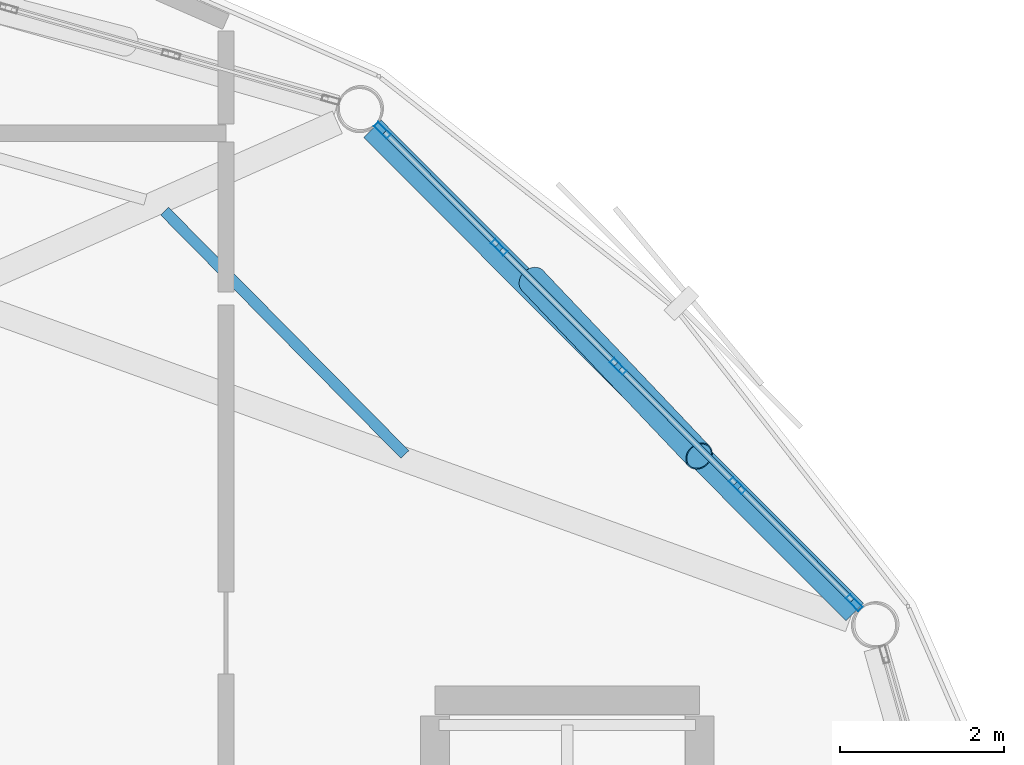
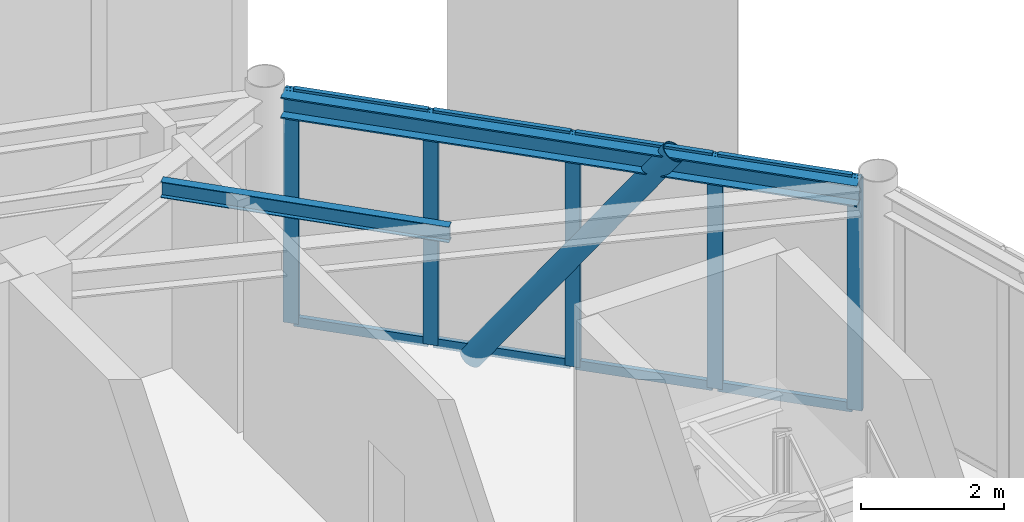
# One storey, part 11 of 20: 14 members, 2 beams, 1 element without a shape of its own.
"""IFC4 building model written with IfcOpenShell, lengths in metres."""

from ifc_helpers import new_model, si_unit, direction, frame, origin, origin_2d, place, context, subcontext, project, spatial, hollow_rectangle, hollow_circle, i_section, extrude, material, layer, layer_set, material_profile, profile_set, type_object, element, aggregate, save


model = new_model("IFC4")

# Units and contexts
model_context = context("Model", 3, precision=1e-05, world=origin(), true_north=direction((0.0, 1.0)))
body_context = subcontext(model_context, "Body", "Model", "MODEL_VIEW")
ifc_project = project(units=[si_unit("LENGTHUNIT", "METRE"), si_unit("AREAUNIT", "SQUARE_METRE"), si_unit("VOLUMEUNIT", "CUBIC_METRE"), si_unit("PLANEANGLEUNIT", "RADIAN"), si_unit("MASSUNIT", "GRAM", prefix="KILO")], contexts=[model_context])

# Site, building, storey
site_placement = place(None, origin())
site = spatial("IfcSite", under=ifc_project, at=site_placement, CompositionType="ELEMENT")
building_placement = place(site_placement, origin())
building = spatial("IfcBuilding", under=site, at=building_placement, Name="Varnakorn Sky Granary", CompositionType="ELEMENT")
storey_placement = place(building_placement, frame((0.0, 0.0, 310.800048828125)))
storey = spatial("IfcBuildingStorey", under=building, at=storey_placement, Name="L79", CompositionType="ELEMENT", Elevation=310.800048828125)

# Beams
ifc_material_1 = material(Name="Steel S355JR", Category="steel")
ifc_material_profile_1 = material_profile(ifc_material_1, i_section(OverallWidth=0.135009765625, OverallDepth=0.27001953125, WebThickness=0.006591796875, FlangeThickness=0.01025390625, at=origin_2d()), Name="IPE 270")
ifc_profile_set_1 = profile_set([ifc_material_profile_1], Name="Steel S355JR")
beam_type_1 = type_object("IfcBeamType", Name="BM-SEC-Z5", PredefinedType="BEAM", material=ifc_profile_set_1)
beam_1_placement = place(storey_placement, frame((13.984130859375, 10.67822265625, 3.824951171875), z_axis=(-0.702737432979, 0.711449295656, 0.0), x_axis=(-0.711449295656, -0.702737432979, 0.0)))
element("IfcBeam", 1, at=beam_1_placement, inside=storey, type_object=beam_type_1, Name="Secondary Floor Chord Beam MSB02 L79", PredefinedType="BEAM", context=body_context, shape_type="SweptSolid", body=[
    extrude(i_section(OverallWidth=0.135009765625, OverallDepth=0.27001953125, WebThickness=0.006591796875, FlangeThickness=0.01025390625, at=origin_2d()), origin(), (0.0, 0.0, 1.0), 4.175537109375),
])
ifc_material_profile_2 = material_profile(ifc_material_1, i_section(OverallWidth=0.300048828125, OverallDepth=0.360107421875, WebThickness=0.012451171875, FlangeThickness=0.0224609375, at=origin_2d()), Name="HE 360 B")
ifc_profile_set_2 = profile_set([ifc_material_profile_2], Name="Steel S355JR")
beam_type_2 = type_object("IfcBeamType", Name="BM-SPD-Z5", PredefinedType="SPANDREL", material=ifc_profile_set_2)
beam_2_placement = place(storey_placement, frame((19.47314453125, 8.755126953125, 3.780029296875), z_axis=(-0.706373891931, 0.707838911617, 0.0), x_axis=(-0.707838911617, -0.706373891931, 0.0)))
element("IfcBeam", 2, at=beam_2_placement, inside=storey, type_object=beam_type_2, Name="Perimeter Spandrel Ring Beam RB02 L79", PredefinedType="SPANDREL", context=body_context, shape_type="SweptSolid", body=[
    extrude(i_section(OverallWidth=0.300048828125, OverallDepth=0.360107421875, WebThickness=0.012451171875, FlangeThickness=0.0224609375, at=origin_2d()), origin(), (0.0, 0.0, 1.0), 8.332275390625),
])

# Curtain wall, members
ifc_material_2 = material(Name="Anodised Bronze Aluminium Alloy 6063-T6", Category="aluminium")
ifc_layer = layer(ifc_material_2, 0.22998046875, Name="Anodised Bronze Aluminium Alloy 6063-T6")
ifc_layer_set = layer_set([ifc_layer], Name="Anodised Bronze Aluminium Alloy 6063-T6")
curtain_wall_type = type_object("IfcCurtainWallType", Name="CW-LNT-1", PredefinedType="USERDEFINED", material=ifc_layer_set)
curtain_wall_placement = place(storey_placement, origin())
curtain_wall = element("IfcCurtainWall", 3, at=curtain_wall_placement, inside=storey, type_object=curtain_wall_type, Name="Unitised Curtain Wall CW7 CW-L79-B02", ObjectType="CURTAIN WALL", PredefinedType="USERDEFINED")
ifc_material_profile_3 = material_profile(ifc_material_2, hollow_rectangle(XDim=0.074951171875, YDim=0.219970703125, WallThickness=0.00390625, at=origin_2d()), Name="ALU MULL 75x220")
ifc_profile_set_3 = profile_set([ifc_material_profile_3], Name="Anodised Bronze Aluminium Alloy 6063-T6")
member_type_1 = type_object("IfcMemberType", Name="CW-LNT-1-MULL", PredefinedType="MULLION", material=ifc_profile_set_3)
member_1_placement = place(storey_placement, frame((13.70947265625, 14.635986328125, 0.0), z_axis=(0.0, 0.0, 1.0), x_axis=(0.707562678959, 0.706650589291, 0.0)))
member_1 = element("IfcMember", 4, at=member_1_placement, type_object=member_type_1, Name="CW7 mullion 1", PredefinedType="MULLION", context=body_context, shape_type="SweptSolid", body=[
    extrude(hollow_rectangle(XDim=0.074951171875, YDim=0.219970703125, WallThickness=0.00390625, at=origin_2d()), origin(), (0.0, 0.0, 1.0), 3.9599609375),
])
member_2_placement = place(storey_placement, frame((15.135498046875, 13.207763671875, 0.0), z_axis=(0.0, 0.0, 1.0), x_axis=(0.707562678959, 0.706650589291, 0.0)))
member_2 = element("IfcMember", 5, at=member_2_placement, type_object=member_type_1, Name="CW7 mullion 2", PredefinedType="MULLION", context=body_context, shape_type="SweptSolid", body=[
    extrude(hollow_rectangle(XDim=0.074951171875, YDim=0.219970703125, WallThickness=0.00390625, at=origin_2d()), origin(), (0.0, 0.0, 1.0), 3.9599609375),
])
member_3_placement = place(storey_placement, frame((16.588134765625, 11.75341796875, 0.0), z_axis=(0.0, 0.0, 1.0), x_axis=(0.707562678959, 0.706650589291, 0.0)))
member_3 = element("IfcMember", 6, at=member_3_placement, type_object=member_type_1, Name="CW7 mullion 3", PredefinedType="MULLION", context=body_context, shape_type="SweptSolid", body=[
    extrude(hollow_rectangle(XDim=0.074951171875, YDim=0.219970703125, WallThickness=0.00390625, at=origin_2d()), origin(), (0.0, 0.0, 1.0), 3.9599609375),
])
member_4_placement = place(storey_placement, frame((18.041015625, 10.298828125, 0.0), z_axis=(0.0, 0.0, 1.0), x_axis=(0.707562678959, 0.706650589291, 0.0)))
member_4 = element("IfcMember", 7, at=member_4_placement, type_object=member_type_1, Name="CW7 mullion 4", PredefinedType="MULLION", context=body_context, shape_type="SweptSolid", body=[
    extrude(hollow_rectangle(XDim=0.074951171875, YDim=0.219970703125, WallThickness=0.00390625, at=origin_2d()), origin(), (0.0, 0.0, 1.0), 3.9599609375),
])
member_5_placement = place(storey_placement, frame((19.467041015625, 8.870849609375, 0.0), z_axis=(0.0, 0.0, 1.0), x_axis=(0.707562678959, 0.706650589291, 0.0)))
member_5 = element("IfcMember", 8, at=member_5_placement, type_object=member_type_1, Name="CW7 mullion 5", PredefinedType="MULLION", context=body_context, shape_type="SweptSolid", body=[
    extrude(hollow_rectangle(XDim=0.074951171875, YDim=0.219970703125, WallThickness=0.00390625, at=origin_2d()), origin(), (0.0, 0.0, 1.0), 3.9599609375),
])
ifc_material_profile_4 = material_profile(ifc_material_2, hollow_rectangle(XDim=0.074951171875, YDim=0.159912109375, WallThickness=0.00390625, at=origin_2d()), Name="ALU TRAN 75x160")
ifc_profile_set_4 = profile_set([ifc_material_profile_4], Name="Anodised Bronze Aluminium Alloy 6063-T6")
member_type_2 = type_object("IfcMemberType", Name="CW-LNT-1-TRAN", PredefinedType="USERDEFINED", material=ifc_profile_set_4)
member_6_placement = place(storey_placement, frame((13.73583984375, 14.609375, 0.037353515625), z_axis=(0.706666940601, -0.707546348349, 0.0), x_axis=(0.707546348349, 0.706666940601, 0.0)))
member_6 = element("IfcMember", 9, at=member_6_placement, type_object=member_type_2, Name="CW7 transom 1.1", ObjectType="TRANSOM", PredefinedType="USERDEFINED", context=body_context, shape_type="SweptSolid", body=[
    extrude(hollow_rectangle(XDim=0.074951171875, YDim=0.159912109375, WallThickness=0.00390625, at=origin_2d()), origin(), (0.0, 0.0, 1.0), 1.943359375),
])
member_7_placement = place(storey_placement, frame((13.73583984375, 14.609375, 3.92236328125), z_axis=(0.706666940601, -0.707546348349, 0.0), x_axis=(0.707546348349, 0.706666940601, 0.0)))
member_7 = element("IfcMember", 10, at=member_7_placement, type_object=member_type_2, Name="CW7 transom 1.2", ObjectType="TRANSOM", PredefinedType="USERDEFINED", context=body_context, shape_type="SweptSolid", body=[
    extrude(hollow_rectangle(XDim=0.074951171875, YDim=0.159912109375, WallThickness=0.00390625, at=origin_2d()), origin(), (0.0, 0.0, 1.0), 1.943359375),
])
member_8_placement = place(storey_placement, frame((15.162109375, 13.181396484375, 0.037353515625), z_axis=(0.706613594422, -0.707599624207, 0.0), x_axis=(0.707599624207, 0.706613594422, 0.0)))
member_8 = element("IfcMember", 11, at=member_8_placement, type_object=member_type_2, Name="CW7 transom 2.1", ObjectType="TRANSOM", PredefinedType="USERDEFINED", context=body_context, shape_type="SweptSolid", body=[
    extrude(hollow_rectangle(XDim=0.074951171875, YDim=0.159912109375, WallThickness=0.00390625, at=origin_2d()), origin(), (0.0, 0.0, 1.0), 1.980712890625),
])
member_9_placement = place(storey_placement, frame((15.162109375, 13.181396484375, 3.92236328125), z_axis=(0.706613594422, -0.707599624207, 0.0), x_axis=(0.707599624207, 0.706613594422, 0.0)))
member_9 = element("IfcMember", 12, at=member_9_placement, type_object=member_type_2, Name="CW7 transom 2.2", ObjectType="TRANSOM", PredefinedType="USERDEFINED", context=body_context, shape_type="SweptSolid", body=[
    extrude(hollow_rectangle(XDim=0.074951171875, YDim=0.159912109375, WallThickness=0.00390625, at=origin_2d()), origin(), (0.0, 0.0, 1.0), 1.980712890625),
])
member_10_placement = place(storey_placement, frame((16.61474609375, 11.726806640625, 0.037353515625), z_axis=(0.706613594422, -0.707599624207, 0.0), x_axis=(0.707599624207, 0.706613594422, 0.0)))
member_10 = element("IfcMember", 13, at=member_10_placement, type_object=member_type_2, Name="CW7 transom 3.1", ObjectType="TRANSOM", PredefinedType="USERDEFINED", context=body_context, shape_type="SweptSolid", body=[
    extrude(hollow_rectangle(XDim=0.074951171875, YDim=0.159912109375, WallThickness=0.00390625, at=origin_2d()), origin(), (0.0, 0.0, 1.0), 1.980712890625),
])
member_11_placement = place(storey_placement, frame((16.61474609375, 11.726806640625, 3.92236328125), z_axis=(0.706613594422, -0.707599624207, 0.0), x_axis=(0.707599624207, 0.706613594422, 0.0)))
member_11 = element("IfcMember", 14, at=member_11_placement, type_object=member_type_2, Name="CW7 transom 3.2", ObjectType="TRANSOM", PredefinedType="USERDEFINED", context=body_context, shape_type="SweptSolid", body=[
    extrude(hollow_rectangle(XDim=0.074951171875, YDim=0.159912109375, WallThickness=0.00390625, at=origin_2d()), origin(), (0.0, 0.0, 1.0), 1.980712890625),
])
member_12_placement = place(storey_placement, frame((18.0673828125, 10.272216796875, 0.037353515625), z_axis=(0.706666940601, -0.707546348349, 0.0), x_axis=(0.707546348349, 0.706666940601, 0.0)))
member_12 = element("IfcMember", 15, at=member_12_placement, type_object=member_type_2, Name="CW7 transom 4.1", ObjectType="TRANSOM", PredefinedType="USERDEFINED", context=body_context, shape_type="SweptSolid", body=[
    extrude(hollow_rectangle(XDim=0.074951171875, YDim=0.159912109375, WallThickness=0.00390625, at=origin_2d()), origin(), (0.0, 0.0, 1.0), 1.943359375),
])
member_13_placement = place(storey_placement, frame((18.0673828125, 10.272216796875, 3.92236328125), z_axis=(0.706666940601, -0.707546348349, 0.0), x_axis=(0.707546348349, 0.706666940601, 0.0)))
member_13 = element("IfcMember", 16, at=member_13_placement, type_object=member_type_2, Name="CW7 transom 4.2", ObjectType="TRANSOM", PredefinedType="USERDEFINED", context=body_context, shape_type="SweptSolid", body=[
    extrude(hollow_rectangle(XDim=0.074951171875, YDim=0.159912109375, WallThickness=0.00390625, at=origin_2d()), origin(), (0.0, 0.0, 1.0), 1.943359375),
])
aggregate(curtain_wall, [member_1, member_2, member_3, member_4, member_5, member_6, member_7, member_8, member_9, member_10, member_11, member_12, member_13])

# Member
ifc_material_3 = material(Name="Steel S460M", Category="steel")
ifc_material_profile_5 = material_profile(ifc_material_3, hollow_circle(Radius=0.177734375, WallThickness=0.01416015625, at=origin_2d()), Name="CHS 355.6x14")
ifc_profile_set_5 = profile_set([ifc_material_profile_5], Name="Steel S460M")
member_type_3 = type_object("IfcMemberType", Name="MB-DIAG-T5", PredefinedType="BRACE", material=ifc_profile_set_5)
member_14_placement = place(storey_placement, frame((15.539794921875, 12.802978515625, -0.130126953125), z_axis=(0.403025883378, -0.4249431373, 0.810551335443), x_axis=(0.725570512089, 0.688147827132, 0.0)))
element("IfcMember", 17, at=member_14_placement, inside=storey, type_object=member_type_3, Name="Perimeter CHS Diagrid Brace DG02 L79", PredefinedType="BRACE", context=body_context, shape_type="SweptSolid", body=[
    extrude(hollow_circle(Radius=0.177734375, WallThickness=0.01416015625, at=origin_2d()), origin(), (0.0, 0.0, 1.0), 5.046142578125),
])

save(model, "model.ifc")
